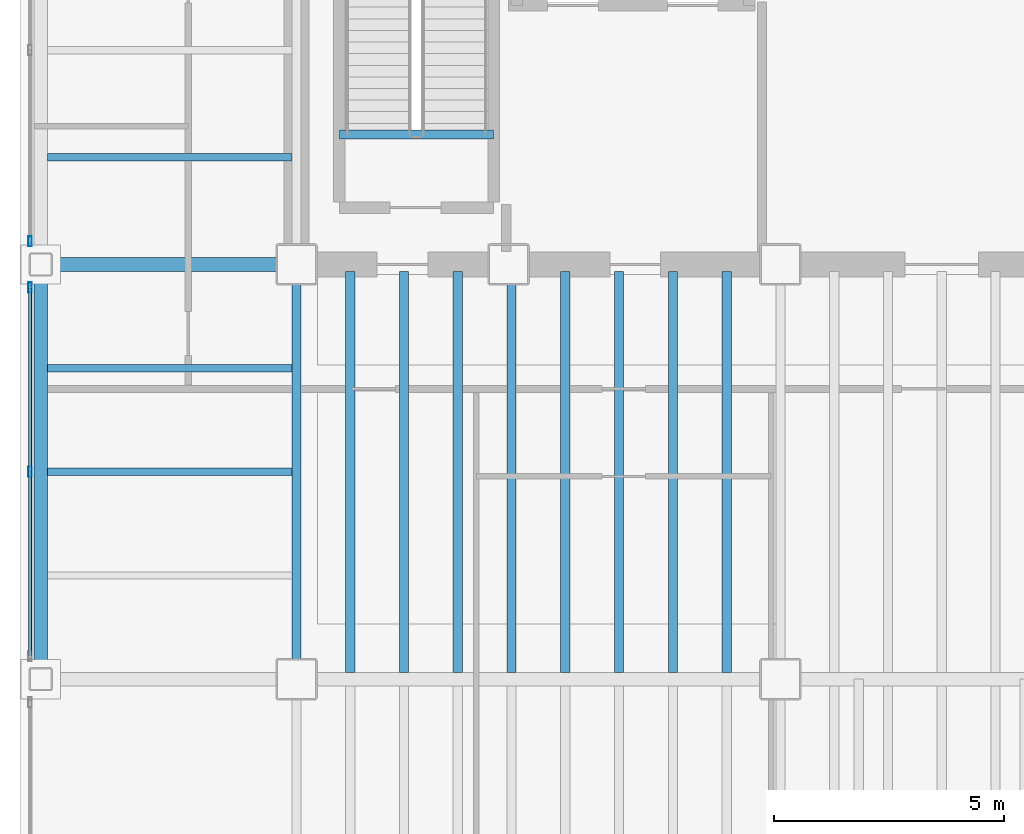
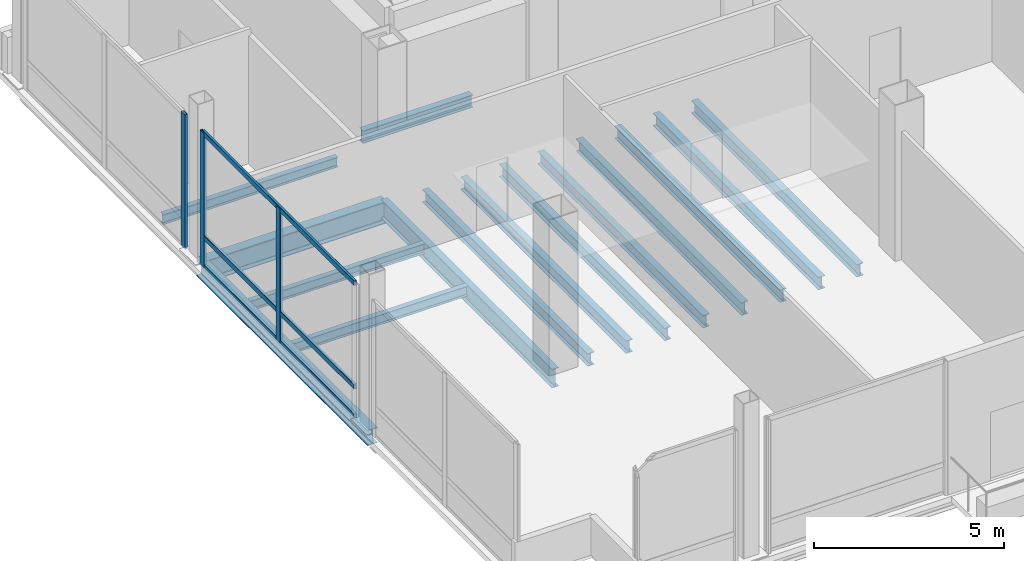
# One storey, part 6 of 22: 15 beams, 6 members, 2 elements without a shape of their own.
"""IFC4 building model written with IfcOpenShell, lengths in metres."""

from ifc_helpers import new_model, si_unit, direction, frame, origin, origin_2d, place, context, subcontext, project, spatial, hollow_rectangle, i_section, extrude, material, material_profile, profile_set, type_object, element, aggregate, save


model = new_model("IFC4")

# Units and contexts
model_context = context("Model", 3, precision=1e-05, world=origin(), true_north=direction((0.0, 1.0)))
body_context = subcontext(model_context, "Body", "Model", "MODEL_VIEW")
ifc_project = project(units=[si_unit("LENGTHUNIT", "METRE"), si_unit("AREAUNIT", "SQUARE_METRE"), si_unit("VOLUMEUNIT", "CUBIC_METRE"), si_unit("PLANEANGLEUNIT", "RADIAN"), si_unit("MASSUNIT", "GRAM", prefix="KILO")], contexts=[model_context])

# Site, building, storey
site_placement = place(None, origin())
site = spatial("IfcSite", under=ifc_project, at=site_placement, CompositionType="ELEMENT")
building_placement = place(site_placement, origin())
building = spatial("IfcBuilding", under=site, at=building_placement, Name="Noeulbin Bourse Tower", CompositionType="ELEMENT")
storey_placement = place(building_placement, frame((0.0, 0.0, 106.0)))
storey = spatial("IfcBuildingStorey", under=building, at=storey_placement, Name="L26", CompositionType="ELEMENT", Elevation=106.0)

# Beams
ifc_material_1 = material(Name="Steel S355", Category="steel")
ifc_material_profile_1 = material_profile(ifc_material_1, i_section(OverallWidth=0.199951171875, OverallDepth=0.60009765625, WebThickness=0.010986328125, FlangeThickness=0.01708984375, FilletRadius=0.02197265625, at=origin_2d()), Name="H-600x200x11x17", Category="LoadBearing")
ifc_profile_set_1 = profile_set([ifc_material_profile_1], Name="Steel S355")
beam_type_1 = type_object("IfcBeamType", Name="BM-GRD-600", PredefinedType="USERDEFINED", material=ifc_profile_set_1)
beam_1_placement = place(storey_placement, frame((13.5, 20.0, -0.47998046875), z_axis=(0.0, 1.0, 0.0), x_axis=(-1.0, 0.0, 0.0)))
element("IfcBeam", 1, at=beam_1_placement, inside=storey, type_object=beam_type_1, Name="Tower Primary Girder NS L26-1.2", ObjectType="GIRDER", PredefinedType="USERDEFINED", context=body_context, shape_type="SweptSolid", body=[
    extrude(i_section(OverallWidth=0.199951171875, OverallDepth=0.60009765625, WebThickness=0.010986328125, FlangeThickness=0.01708984375, FilletRadius=0.02197265625, at=origin_2d()), origin(), (0.0, 0.0, 1.0), 9.0),
])
ifc_material_profile_2 = material_profile(ifc_material_1, i_section(OverallWidth=0.300048828125, OverallDepth=0.699951171875, WebThickness=0.012939453125, FlangeThickness=0.02392578125, FilletRadius=0.02392578125, at=origin_2d()), Name="H-700x300x13x24", Category="LoadBearing")
ifc_profile_set_2 = profile_set([ifc_material_profile_2], Name="Steel S355")
beam_type_2 = type_object("IfcBeamType", Name="BM-GRD-700", PredefinedType="USERDEFINED", material=ifc_profile_set_2)
beam_2_placement = place(storey_placement, frame((7.949951171875, 29.0, -0.530029296875), z_axis=(1.0, 0.0, 0.0), x_axis=(0.0, 1.0, 0.0)))
element("IfcBeam", 2, at=beam_2_placement, inside=storey, type_object=beam_type_2, Name="Tower Primary Girder EW L26-2.1", ObjectType="GIRDER", PredefinedType="USERDEFINED", context=body_context, shape_type="SweptSolid", body=[
    extrude(i_section(OverallWidth=0.300048828125, OverallDepth=0.699951171875, WebThickness=0.012939453125, FlangeThickness=0.02392578125, FilletRadius=0.02392578125, at=origin_2d()), origin(), (0.0, 0.0, 1.0), 5.550048828125),
])
ifc_material_profile_3 = material_profile(ifc_material_1, i_section(OverallWidth=0.159912109375, OverallDepth=0.320068359375, WebThickness=0.006591796875, FlangeThickness=0.010009765625, FilletRadius=0.012939453125, at=origin_2d()), Name="H-320x160x6.5x10", Category="LoadBearing")
ifc_profile_set_3 = profile_set([ifc_material_profile_3], Name="Steel S355")
beam_type_3 = type_object("IfcBeamType", Name="BM-JST-320", PredefinedType="JOIST", material=ifc_profile_set_3)
for number, where, z_axis, x_axis, name in (
    (3, (8.10009765625, 24.5, -0.340087890625), (1.0, 0.0, 0.0), (0.0, 1.0, 0.0), "Wing Composite Joist L26-W71"),
    (4, (8.10009765625, 26.75, -0.340087890625), (1.0, 0.0, 0.0), (0.0, 1.0, 0.0), "Wing Composite Joist L26-W72"),
    (5, (8.10009765625, 31.324951171875, -0.340087890625), (1.0, 0.0, 0.0), (0.0, 1.0, 0.0), "Wing Composite Joist L26-W73"),
):
    element("IfcBeam", number, at=place(storey_placement, frame(where, z_axis=z_axis, x_axis=x_axis)), inside=storey, type_object=beam_type_3, Name=name, PredefinedType="JOIST", context=body_context, shape_type="SweptSolid", body=[
        extrude(i_section(OverallWidth=0.159912109375, OverallDepth=0.320068359375, WebThickness=0.006591796875, FlangeThickness=0.010009765625, FilletRadius=0.012939453125, at=origin_2d()), origin(), (0.0, 0.0, 1.0), 5.2998046875),
    ])
ifc_material_profile_4 = material_profile(ifc_material_1, i_section(OverallWidth=0.199951171875, OverallDepth=0.39990234375, WebThickness=0.008056640625, FlangeThickness=0.012939453125, FilletRadius=0.01611328125, at=origin_2d()), Name="H-400x200x8x13", Category="LoadBearing")
ifc_profile_set_4 = profile_set([ifc_material_profile_4], Name="Steel S355")
beam_type_4 = type_object("IfcBeamType", Name="BM-SEC-400", PredefinedType="BEAM", material=ifc_profile_set_4)
for number, where, z_axis, x_axis, name in (
    (6, (14.666748046875, 20.14990234375, -0.3798828125), (0.0, 1.0, 0.0), (-1.0, 0.0, 0.0), "Tower Composite Joist L26-02"),
    (7, (15.833251953125, 20.14990234375, -0.3798828125), (0.0, 1.0, 0.0), (-1.0, 0.0, 0.0), "Tower Composite Joist L26-05"),
    (8, (17.0, 20.14990234375, -0.3798828125), (0.0, 1.0, 0.0), (-1.0, 0.0, 0.0), "Tower Composite Joist L26-08"),
    (9, (18.166748046875, 20.14990234375, -0.3798828125), (0.0, 1.0, 0.0), (-1.0, 0.0, 0.0), "Tower Composite Joist L26-11"),
    (10, (19.333251953125, 20.14990234375, -0.3798828125), (0.0, 1.0, 0.0), (-1.0, 0.0, 0.0), "Tower Composite Joist L26-14"),
    (11, (20.5, 20.14990234375, -0.3798828125), (0.0, 1.0, 0.0), (-1.0, 0.0, 0.0), "Tower Composite Joist L26-17"),
    (12, (21.666748046875, 20.14990234375, -0.3798828125), (0.0, 1.0, 0.0), (-1.0, 0.0, 0.0), "Tower Composite Joist L26-20"),
    (13, (22.833251953125, 20.14990234375, -0.3798828125), (0.0, 1.0, 0.0), (-1.0, 0.0, 0.0), "Tower Composite Joist L26-23"),
):
    element("IfcBeam", number, at=place(storey_placement, frame(where, z_axis=z_axis, x_axis=x_axis)), inside=storey, type_object=beam_type_4, Name=name, PredefinedType="BEAM", context=body_context, shape_type="SweptSolid", body=[
        extrude(i_section(OverallWidth=0.199951171875, OverallDepth=0.39990234375, WebThickness=0.008056640625, FlangeThickness=0.012939453125, FilletRadius=0.01611328125, at=origin_2d()), origin(), (0.0, 0.0, 1.0), 8.7001953125),
    ])
beam_3_placement = place(storey_placement, frame((14.429931640625, 31.820068359375, -0.199951171875), z_axis=(1.0, 0.0, 0.0), x_axis=(0.0, 1.0, 0.0)))
element("IfcBeam", 14, at=beam_3_placement, inside=storey, type_object=beam_type_4, Name="Stair Threshold Trimmer Beam ST1-L26", PredefinedType="BEAM", context=body_context, shape_type="SweptSolid", body=[
    extrude(i_section(OverallWidth=0.199951171875, OverallDepth=0.39990234375, WebThickness=0.008056640625, FlangeThickness=0.012939453125, FilletRadius=0.01611328125, at=origin_2d()), origin(), (0.0, 0.0, 1.0), 3.340087890625),
])
ifc_material_profile_5 = material_profile(ifc_material_1, i_section(OverallWidth=0.300048828125, OverallDepth=0.488037109375, WebThickness=0.010986328125, FlangeThickness=0.01806640625, FilletRadius=0.02197265625, at=origin_2d()), Name="H-488x300x11x18", Category="LoadBearing")
ifc_profile_set_5 = profile_set([ifc_material_profile_5], Name="Steel S355")
beam_type_5 = type_object("IfcBeamType", Name="BM-SPN-488", PredefinedType="SPANDREL", material=ifc_profile_set_5)
beam_4_placement = place(storey_placement, frame((7.949951171875, 20.0, -0.424072265625), z_axis=(0.0, 1.0, 0.0), x_axis=(-1.0, 0.0, 0.0)))
element("IfcBeam", 15, at=beam_4_placement, inside=storey, type_object=beam_type_5, Name="West Spandrel L26-1", PredefinedType="SPANDREL", context=body_context, shape_type="SweptSolid", body=[
    extrude(i_section(OverallWidth=0.300048828125, OverallDepth=0.488037109375, WebThickness=0.010986328125, FlangeThickness=0.01806640625, FilletRadius=0.02197265625, at=origin_2d()), origin(), (0.0, 0.0, 1.0), 9.0),
])

# Curtain wall, members
ifc_material_2 = material(Name="Dark Tinted Triple Glazing", Category="glass")
curtain_wall_type = type_object("IfcCurtainWallType", Name="CW-SYS-3", PredefinedType="NOTDEFINED", material=ifc_material_2)
curtain_wall_1_placement = place(storey_placement, origin())
curtain_wall_1 = element("IfcCurtainWall", 16, at=curtain_wall_1_placement, inside=storey, type_object=curtain_wall_type, Name="Unitised Curtain Wall CW-L26-W-S2", PredefinedType="NOTDEFINED")
ifc_material_3 = material(Name="Anodised Aluminium 6063-T6", Category="aluminium")
ifc_material_profile_6 = material_profile(ifc_material_3, hollow_rectangle(XDim=0.074951171875, YDim=0.219970703125, WallThickness=0.0048828125, InnerFilletRadius=0.00244140625, OuterFilletRadius=0.0048828125, at=origin_2d()), Name="ALU-MULL-75x220x5", Category="LoadBearing")
ifc_profile_set_6 = profile_set([ifc_material_profile_6], Name="Anodised Aluminium 6063-T6")
member_type_1 = type_object("IfcMemberType", Name="CW-SYS-3-MUL", PredefinedType="MULLION", material=ifc_profile_set_6)
member_1_placement = place(storey_placement, frame((7.719970703125, 24.5, -0.02001953125), z_axis=(0.0, 0.0, 1.0), x_axis=(1.0, 0.0, 0.0)))
member_1 = element("IfcMember", 17, at=member_1_placement, type_object=member_type_1, Name="Curtain Wall Mullion CW-L26-W-S2-M01", PredefinedType="MULLION", context=body_context, shape_type="SweptSolid", body=[
    extrude(hollow_rectangle(XDim=0.074951171875, YDim=0.219970703125, WallThickness=0.0048828125, InnerFilletRadius=0.00244140625, OuterFilletRadius=0.0048828125, at=origin_2d()), origin(), (0.0, 0.0, 1.0), 4.320068359375),
])
member_2_placement = place(storey_placement, frame((7.719970703125, 28.5, -0.02001953125), z_axis=(0.0, 0.0, 1.0), x_axis=(1.0, 0.0, 0.0)))
member_2 = element("IfcMember", 18, at=member_2_placement, type_object=member_type_1, Name="Curtain Wall Mullion CW-L26-W-S2-M02", PredefinedType="MULLION", context=body_context, shape_type="SweptSolid", body=[
    extrude(hollow_rectangle(XDim=0.074951171875, YDim=0.219970703125, WallThickness=0.0048828125, InnerFilletRadius=0.00244140625, OuterFilletRadius=0.0048828125, at=origin_2d()), origin(), (0.0, 0.0, 1.0), 4.320068359375),
])

# Curtain wall, member
curtain_wall_2_placement = place(storey_placement, origin())
curtain_wall_2 = element("IfcCurtainWall", 19, at=curtain_wall_2_placement, inside=storey, type_object=curtain_wall_type, Name="Unitised Curtain Wall CW-L26-W-S3", PredefinedType="NOTDEFINED")
member_3_placement = place(storey_placement, frame((7.719970703125, 29.5, -0.02001953125), z_axis=(0.0, 0.0, 1.0), x_axis=(1.0, 0.0, 0.0)))
member_3 = element("IfcMember", 20, at=member_3_placement, type_object=member_type_1, Name="Curtain Wall Mullion CW-L26-W-S3-M00", PredefinedType="MULLION", context=body_context, shape_type="SweptSolid", body=[
    extrude(hollow_rectangle(XDim=0.074951171875, YDim=0.219970703125, WallThickness=0.0048828125, InnerFilletRadius=0.00244140625, OuterFilletRadius=0.0048828125, at=origin_2d()), origin(), (0.0, 0.0, 1.0), 4.320068359375),
])
aggregate(curtain_wall_2, [member_3])

# Member
ifc_material_profile_7 = material_profile(ifc_material_3, hollow_rectangle(XDim=0.074951171875, YDim=0.159912109375, WallThickness=0.0048828125, InnerFilletRadius=0.00244140625, OuterFilletRadius=0.0048828125, at=origin_2d()), Name="ALU-TRAN-75x160x5", Category="LoadBearing")
ifc_profile_set_7 = profile_set([ifc_material_profile_7], Name="Anodised Aluminium 6063-T6")
member_type_2 = type_object("IfcMemberType", Name="CW-SYS-3-TRN", PredefinedType="USERDEFINED", material=ifc_profile_set_7)
member_4_placement = place(storey_placement, frame((7.719970703125, 20.510009765625, 0.010009765625), z_axis=(0.0, 1.0, 0.0), x_axis=(-1.0, 0.0, 0.0)))
member_4 = element("IfcMember", 21, at=member_4_placement, type_object=member_type_2, Name="Curtain Wall Transom CW-L26-W-S2-T00", ObjectType="TRANSOM", PredefinedType="USERDEFINED", context=body_context, shape_type="SweptSolid", body=[
    extrude(hollow_rectangle(XDim=0.074951171875, YDim=0.159912109375, WallThickness=0.0048828125, InnerFilletRadius=0.00244140625, OuterFilletRadius=0.0048828125, at=origin_2d()), origin(), (0.0, 0.0, 1.0), 7.97998046875),
])

member_5_placement = place(storey_placement, frame((7.719970703125, 20.510009765625, 0.949951171875), z_axis=(0.0, 1.0, 0.0), x_axis=(-1.0, 0.0, 0.0)))
member_5 = element("IfcMember", 22, at=member_5_placement, type_object=member_type_2, Name="Curtain Wall Transom CW-L26-W-S2-T01", ObjectType="TRANSOM", PredefinedType="USERDEFINED", context=body_context, shape_type="SweptSolid", body=[
    extrude(hollow_rectangle(XDim=0.074951171875, YDim=0.159912109375, WallThickness=0.0048828125, InnerFilletRadius=0.00244140625, OuterFilletRadius=0.0048828125, at=origin_2d()), origin(), (0.0, 0.0, 1.0), 7.97998046875),
])

member_6_placement = place(storey_placement, frame((7.719970703125, 20.510009765625, 4.27001953125), z_axis=(0.0, 1.0, 0.0), x_axis=(-1.0, 0.0, 0.0)))
member_6 = element("IfcMember", 23, at=member_6_placement, type_object=member_type_2, Name="Curtain Wall Transom CW-L26-W-S2-T02", ObjectType="TRANSOM", PredefinedType="USERDEFINED", context=body_context, shape_type="SweptSolid", body=[
    extrude(hollow_rectangle(XDim=0.074951171875, YDim=0.159912109375, WallThickness=0.0048828125, InnerFilletRadius=0.00244140625, OuterFilletRadius=0.0048828125, at=origin_2d()), origin(), (0.0, 0.0, 1.0), 7.97998046875),
])

aggregate(curtain_wall_1, [member_1, member_2, member_4, member_5, member_6])

save(model, "model.ifc")
